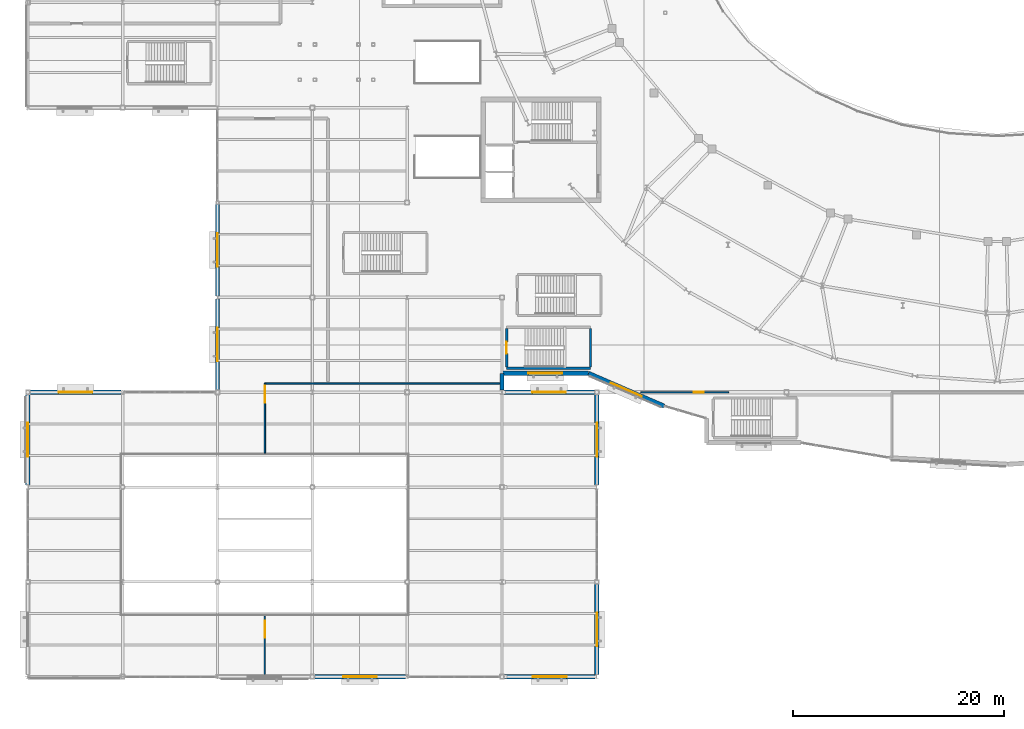
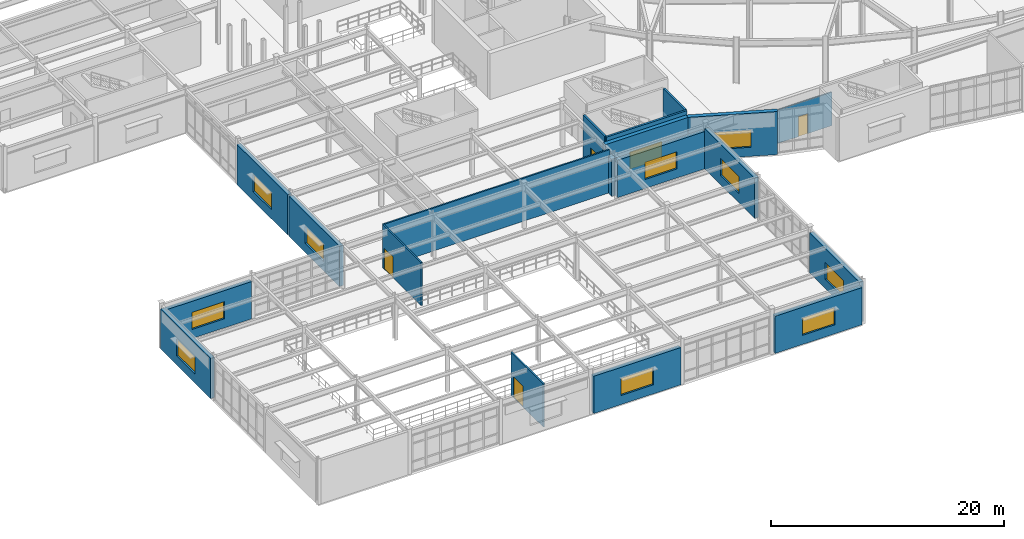
# One storey, part 59 of 86: 19 walls, 11 windows, 4 doors, 15 openings.
"""IFC4 building model written with IfcOpenShell, lengths in metres."""

from ifc_helpers import new_model, si_unit, direction, frame, frame_2d, origin, place, context, subcontext, project, spatial, rectangle, extrude, material, layer, layer_set, type_object, element, fill, save


model = new_model("IFC4")

# Units and contexts
model_context = context("Model", 3, precision=1e-05, world=origin(), true_north=direction((0.0, 1.0)))
body_context = subcontext(model_context, "Body", "Model", "MODEL_VIEW")
ifc_project = project(units=[si_unit("LENGTHUNIT", "METRE"), si_unit("AREAUNIT", "SQUARE_METRE"), si_unit("VOLUMEUNIT", "CUBIC_METRE"), si_unit("PLANEANGLEUNIT", "RADIAN"), si_unit("MASSUNIT", "GRAM", prefix="KILO")], contexts=[model_context])

# Site, building, storey
site_placement = place(None, origin())
site = spatial("IfcSite", under=ifc_project, at=site_placement, CompositionType="ELEMENT")
building_placement = place(site_placement, origin())
building = spatial("IfcBuilding", under=site, at=building_placement, Name="Glasvene Arena", CompositionType="ELEMENT")
storey_placement = place(building_placement, frame((0.0, 0.0, 5.39990234375)))
storey = spatial("IfcBuildingStorey", under=building, at=storey_placement, Name="L01", CompositionType="ELEMENT", Elevation=5.39990234375)

# Wall, opening, window
ifc_material_1 = material(Name="Coursed pale Irish limestone", Category="masonry")
ifc_layer_1 = layer(ifc_material_1, 0.39990234375)
ifc_layer_set_1 = layer_set([ifc_layer_1], Name="Coursed pale Irish limestone")
wall_type_1 = type_object("IfcWallType", Name="WL-EXT-LIM-400", PredefinedType="STANDARD", material=ifc_layer_set_1)
wall_1_placement = place(storey_placement, frame((60.380859375, 25.6923828125, 0.0), z_axis=(0.0, 0.0, 1.0), x_axis=(-0.917438889174, 0.397876720394, 0.0)))
wall_1 = element("IfcWall", 1, at=wall_1_placement, inside=storey, type_object=wall_type_1, Name="External facade wall EW-L01-0101", PredefinedType="STANDARD", context=body_context, shape_type="SweptSolid", body=[
    extrude(rectangle(XDim=7.810546875, YDim=0.39990234375, at=frame_2d((3.9052734375, 0.0))), origin(), (0.0, 0.0, 1.0), 4.52001953125),
])
opening_1_placement = place(wall_1_placement, frame((2.304931640625, 0.0, 0.949951171875)))
opening_1 = element("IfcOpeningElement", 2, at=opening_1_placement, cuts=wall_1, Name="Opening W-03", PredefinedType="OPENING", context=body_context, shape_type="SweptSolid", body=[
    extrude(rectangle(XDim=3.199951171875, YDim=1.800048828125, at=frame_2d((1.60009765625, 0.89990234375))), frame((0.0, 0.2099609375, 0.0), z_axis=(0.0, -1.0, 0.0), x_axis=(1.0, 0.0, 0.0)), (0.0, 0.0, 1.0), 0.419921875),
])
ifc_material_2 = material(Name="Low-emissivity laminated double glazing", Category="glass")
window_type = type_object("IfcWindowType", Name="WN-CONC-320x180", PartitioningType="TRIPLE_PANEL_VERTICAL", PredefinedType="WINDOW", material=ifc_material_2)
window_1_placement = place(opening_1_placement, origin())
window_1 = element("IfcWindow", 3, at=window_1_placement, inside=storey, type_object=window_type, Name="Facade window WN-CONC-320x180 L01-0048", OverallHeight=1.800048828125, OverallWidth=3.199951171875, PartitioningType="SINGLE_PANEL", PredefinedType="WINDOW", context=body_context, shape_type="SweptSolid", body=[
    extrude(rectangle(XDim=3.199951171875, YDim=1.800048828125, at=frame_2d((1.60009765625, 0.89990234375))), frame((0.0, 0.030029296875, 0.0), z_axis=(0.0, -1.0, 0.0), x_axis=(1.0, 0.0, 0.0)), (0.0, 0.0, 1.0), 0.06005859375),
])
fill(opening_1, window_1)

wall_2_placement = place(storey_placement, frame((53.215087890625, 28.800048828125, 0.0), z_axis=(0.0, 0.0, 1.0), x_axis=(-1.0, 0.0, 0.0)))
wall_2 = element("IfcWall", 4, at=wall_2_placement, inside=storey, type_object=wall_type_1, Name="External facade wall EW-L01-0102", PredefinedType="STANDARD", context=body_context, shape_type="SweptSolid", body=[
    extrude(rectangle(XDim=8.215087890625, YDim=0.39990234375, at=frame_2d((4.107421875, 0.0))), origin(), (0.0, 0.0, 1.0), 4.52001953125),
])
opening_2_placement = place(wall_2_placement, frame((2.508056640625, 0.0, 0.949951171875)))
opening_2 = element("IfcOpeningElement", 5, at=opening_2_placement, cuts=wall_2, Name="Opening W-03", PredefinedType="OPENING", context=body_context, shape_type="SweptSolid", body=[
    extrude(rectangle(XDim=3.199951171875, YDim=1.800048828125, at=frame_2d((1.60009765625, 0.89990234375))), frame((0.0, 0.2099609375, 0.0), z_axis=(0.0, -1.0, 0.0), x_axis=(1.0, 0.0, 0.0)), (0.0, 0.0, 1.0), 0.419921875),
])
window_2_placement = place(opening_2_placement, origin())
window_2 = element("IfcWindow", 6, at=window_2_placement, inside=storey, type_object=window_type, Name="Facade window WN-CONC-320x180 L01-0049", OverallHeight=1.800048828125, OverallWidth=3.199951171875, PartitioningType="SINGLE_PANEL", PredefinedType="WINDOW", context=body_context, shape_type="SweptSolid", body=[
    extrude(rectangle(XDim=3.199951171875, YDim=1.800048828125, at=frame_2d((1.60009765625, 0.89990234375))), frame((0.0, 0.030029296875, 0.0), z_axis=(0.0, -1.0, 0.0), x_axis=(1.0, 0.0, 0.0)), (0.0, 0.0, 1.0), 0.06005859375),
])
fill(opening_2, window_2)

# Wall
wall_3_placement = place(storey_placement, frame((45.0, 28.800048828125, 0.0), z_axis=(0.0, 0.0, 1.0), x_axis=(0.0, -1.0, 0.0)))
element("IfcWall", 7, at=wall_3_placement, inside=storey, type_object=wall_type_1, Name="External facade wall EW-L01-0103", PredefinedType="STANDARD", context=body_context, shape_type="SweptSolid", body=[
    extrude(rectangle(XDim=1.59814453125, YDim=0.39990234375, at=frame_2d((0.799072265625, 0.0))), origin(), (0.0, 0.0, 1.0), 3.907470703125),
])

# Wall, opening, window
wall_4_placement = place(storey_placement, frame((45.152099609375, 27.0, 0.0), z_axis=(0.0, 0.0, 1.0), x_axis=(1.0, 0.0, 0.0)))
wall_4 = element("IfcWall", 8, at=wall_4_placement, inside=storey, type_object=wall_type_1, Name="External facade wall EW-L01-0104", PredefinedType="STANDARD", context=body_context, shape_type="SweptSolid", body=[
    extrude(rectangle(XDim=8.642822265625, YDim=0.39990234375, at=frame_2d((4.3212890625, 0.0))), origin(), (0.0, 0.0, 1.0), 3.907470703125),
])
opening_3_placement = place(wall_4_placement, frame((2.720947265625, 0.0, 0.949951171875)))
opening_3 = element("IfcOpeningElement", 9, at=opening_3_placement, cuts=wall_4, Name="Opening W-03", PredefinedType="OPENING", context=body_context, shape_type="SweptSolid", body=[
    extrude(rectangle(XDim=3.199951171875, YDim=1.800048828125, at=frame_2d((1.60009765625, 0.89990234375))), frame((0.0, 0.2099609375, 0.0), z_axis=(0.0, -1.0, 0.0), x_axis=(1.0, 0.0, 0.0)), (0.0, 0.0, 1.0), 0.419921875),
])
window_3_placement = place(opening_3_placement, origin())
window_3 = element("IfcWindow", 10, at=window_3_placement, inside=storey, type_object=window_type, Name="Facade window WN-CONC-320x180 L01-0050", OverallHeight=1.800048828125, OverallWidth=3.199951171875, PartitioningType="SINGLE_PANEL", PredefinedType="WINDOW", context=body_context, shape_type="SweptSolid", body=[
    extrude(rectangle(XDim=3.199951171875, YDim=1.800048828125, at=frame_2d((1.60009765625, 0.89990234375))), frame((0.0, 0.030029296875, 0.0), z_axis=(0.0, -1.0, 0.0), x_axis=(1.0, 0.0, 0.0)), (0.0, 0.0, 1.0), 0.06005859375),
])
fill(opening_3, window_3)

wall_5_placement = place(storey_placement, frame((54.0, 26.794921875, 0.0), z_axis=(0.0, 0.0, 1.0), x_axis=(0.0, -1.0, 0.0)))
wall_5 = element("IfcWall", 11, at=wall_5_placement, inside=storey, type_object=wall_type_1, Name="External facade wall EW-L01-0105", PredefinedType="STANDARD", context=body_context, shape_type="SweptSolid", body=[
    extrude(rectangle(XDim=8.593017578125, YDim=0.39990234375, at=frame_2d((4.29638671875, 0.0))), origin(), (0.0, 0.0, 1.0), 4.215087890625),
])
opening_4_placement = place(wall_5_placement, frame((2.696044921875, 0.0, 0.949951171875)))
opening_4 = element("IfcOpeningElement", 12, at=opening_4_placement, cuts=wall_5, Name="Opening W-03", PredefinedType="OPENING", context=body_context, shape_type="SweptSolid", body=[
    extrude(rectangle(XDim=3.199951171875, YDim=1.800048828125, at=frame_2d((1.60009765625, 0.89990234375))), frame((0.0, 0.2099609375, 0.0), z_axis=(0.0, -1.0, 0.0), x_axis=(1.0, 0.0, 0.0)), (0.0, 0.0, 1.0), 0.419921875),
])
window_4_placement = place(opening_4_placement, origin())
window_4 = element("IfcWindow", 13, at=window_4_placement, inside=storey, type_object=window_type, Name="Facade window WN-CONC-320x180 L01-0051", OverallHeight=1.800048828125, OverallWidth=3.199951171875, PartitioningType="SINGLE_PANEL", PredefinedType="WINDOW", context=body_context, shape_type="SweptSolid", body=[
    extrude(rectangle(XDim=3.199951171875, YDim=1.800048828125, at=frame_2d((1.60009765625, 0.89990234375))), frame((0.0, 0.030029296875, 0.0), z_axis=(0.0, -1.0, 0.0), x_axis=(1.0, 0.0, 0.0)), (0.0, 0.0, 1.0), 0.06005859375),
])
fill(opening_4, window_4)

wall_6_placement = place(storey_placement, frame((54.0, 8.794921875, 0.0), z_axis=(0.0, 0.0, 1.0), x_axis=(0.0, -1.0, 0.0)))
wall_6 = element("IfcWall", 14, at=wall_6_placement, inside=storey, type_object=wall_type_1, Name="External facade wall EW-L01-0106", PredefinedType="STANDARD", context=body_context, shape_type="SweptSolid", body=[
    extrude(rectangle(XDim=8.593017578125, YDim=0.39990234375, at=frame_2d((4.29638671875, 0.0))), origin(), (0.0, 0.0, 1.0), 4.215087890625),
])
opening_5_placement = place(wall_6_placement, frame((2.696044921875, 0.0, 0.949951171875)))
opening_5 = element("IfcOpeningElement", 15, at=opening_5_placement, cuts=wall_6, Name="Opening W-03", PredefinedType="OPENING", context=body_context, shape_type="SweptSolid", body=[
    extrude(rectangle(XDim=3.199951171875, YDim=1.800048828125, at=frame_2d((1.60009765625, 0.89990234375))), frame((0.0, 0.2099609375, 0.0), z_axis=(0.0, -1.0, 0.0), x_axis=(1.0, 0.0, 0.0)), (0.0, 0.0, 1.0), 0.419921875),
])
window_5_placement = place(opening_5_placement, origin())
window_5 = element("IfcWindow", 16, at=window_5_placement, inside=storey, type_object=window_type, Name="Facade window WN-CONC-320x180 L01-0052", OverallHeight=1.800048828125, OverallWidth=3.199951171875, PartitioningType="SINGLE_PANEL", PredefinedType="WINDOW", context=body_context, shape_type="SweptSolid", body=[
    extrude(rectangle(XDim=3.199951171875, YDim=1.800048828125, at=frame_2d((1.60009765625, 0.89990234375))), frame((0.0, 0.030029296875, 0.0), z_axis=(0.0, -1.0, 0.0), x_axis=(1.0, 0.0, 0.0)), (0.0, 0.0, 1.0), 0.06005859375),
])
fill(opening_5, window_5)

wall_7_placement = place(storey_placement, frame((53.847900390625, 0.0, 0.0), z_axis=(0.0, 0.0, 1.0), x_axis=(-1.0, 0.0, 0.0)))
wall_7 = element("IfcWall", 17, at=wall_7_placement, inside=storey, type_object=wall_type_1, Name="External facade wall EW-L01-0107", PredefinedType="STANDARD", context=body_context, shape_type="SweptSolid", body=[
    extrude(rectangle(XDim=8.642822265625, YDim=0.39990234375, at=frame_2d((4.3212890625, 0.0))), origin(), (0.0, 0.0, 1.0), 3.907470703125),
])
opening_6_placement = place(wall_7_placement, frame((2.720947265625, 0.0, 0.949951171875)))
opening_6 = element("IfcOpeningElement", 18, at=opening_6_placement, cuts=wall_7, Name="Opening W-03", PredefinedType="OPENING", context=body_context, shape_type="SweptSolid", body=[
    extrude(rectangle(XDim=3.199951171875, YDim=1.800048828125, at=frame_2d((1.60009765625, 0.89990234375))), frame((0.0, 0.2099609375, 0.0), z_axis=(0.0, -1.0, 0.0), x_axis=(1.0, 0.0, 0.0)), (0.0, 0.0, 1.0), 0.419921875),
])
window_6_placement = place(opening_6_placement, origin())
window_6 = element("IfcWindow", 19, at=window_6_placement, inside=storey, type_object=window_type, Name="Facade window WN-CONC-320x180 L01-0053", OverallHeight=1.800048828125, OverallWidth=3.199951171875, PartitioningType="SINGLE_PANEL", PredefinedType="WINDOW", context=body_context, shape_type="SweptSolid", body=[
    extrude(rectangle(XDim=3.199951171875, YDim=1.800048828125, at=frame_2d((1.60009765625, 0.89990234375))), frame((0.0, 0.030029296875, 0.0), z_axis=(0.0, -1.0, 0.0), x_axis=(1.0, 0.0, 0.0)), (0.0, 0.0, 1.0), 0.06005859375),
])
fill(opening_6, window_6)

wall_8_placement = place(storey_placement, frame((35.847900390625, 0.0, 0.0), z_axis=(0.0, 0.0, 1.0), x_axis=(-1.0, 0.0, 0.0)))
wall_8 = element("IfcWall", 20, at=wall_8_placement, inside=storey, type_object=wall_type_1, Name="External facade wall EW-L01-0108", PredefinedType="STANDARD", context=body_context, shape_type="SweptSolid", body=[
    extrude(rectangle(XDim=8.642822265625, YDim=0.39990234375, at=frame_2d((4.3212890625, 0.0))), origin(), (0.0, 0.0, 1.0), 3.907470703125),
])
opening_7_placement = place(wall_8_placement, frame((2.720947265625, 0.0, 0.949951171875)))
opening_7 = element("IfcOpeningElement", 21, at=opening_7_placement, cuts=wall_8, Name="Opening W-03", PredefinedType="OPENING", context=body_context, shape_type="SweptSolid", body=[
    extrude(rectangle(XDim=3.199951171875, YDim=1.800048828125, at=frame_2d((1.60009765625, 0.89990234375))), frame((0.0, 0.2099609375, 0.0), z_axis=(0.0, -1.0, 0.0), x_axis=(1.0, 0.0, 0.0)), (0.0, 0.0, 1.0), 0.419921875),
])
window_7_placement = place(opening_7_placement, origin())
window_7 = element("IfcWindow", 22, at=window_7_placement, inside=storey, type_object=window_type, Name="Facade window WN-CONC-320x180 L01-0054", OverallHeight=1.800048828125, OverallWidth=3.199951171875, PartitioningType="SINGLE_PANEL", PredefinedType="WINDOW", context=body_context, shape_type="SweptSolid", body=[
    extrude(rectangle(XDim=3.199951171875, YDim=1.800048828125, at=frame_2d((1.60009765625, 0.89990234375))), frame((0.0, 0.030029296875, 0.0), z_axis=(0.0, -1.0, 0.0), x_axis=(1.0, 0.0, 0.0)), (0.0, 0.0, 1.0), 0.06005859375),
])
fill(opening_7, window_7)

wall_9_placement = place(storey_placement, frame((0.0, 18.201904296875, 0.0), z_axis=(0.0, 0.0, 1.0), x_axis=(0.0, 1.0, 0.0)))
wall_9 = element("IfcWall", 23, at=wall_9_placement, inside=storey, type_object=wall_type_1, Name="External facade wall EW-L01-0111", PredefinedType="STANDARD", context=body_context, shape_type="SweptSolid", body=[
    extrude(rectangle(XDim=8.593017578125, YDim=0.39990234375, at=frame_2d((4.29638671875, 0.0))), origin(), (0.0, 0.0, 1.0), 4.215087890625),
])
opening_8_placement = place(wall_9_placement, frame((2.696044921875, 0.0, 0.949951171875)))
opening_8 = element("IfcOpeningElement", 24, at=opening_8_placement, cuts=wall_9, Name="Opening W-03", PredefinedType="OPENING", context=body_context, shape_type="SweptSolid", body=[
    extrude(rectangle(XDim=3.199951171875, YDim=1.800048828125, at=frame_2d((1.60009765625, 0.89990234375))), frame((0.0, 0.2099609375, 0.0), z_axis=(0.0, -1.0, 0.0), x_axis=(1.0, 0.0, 0.0)), (0.0, 0.0, 1.0), 0.419921875),
])
window_8_placement = place(opening_8_placement, origin())
window_8 = element("IfcWindow", 25, at=window_8_placement, inside=storey, type_object=window_type, Name="Facade window WN-CONC-320x180 L01-0057", OverallHeight=1.800048828125, OverallWidth=3.199951171875, PartitioningType="SINGLE_PANEL", PredefinedType="WINDOW", context=body_context, shape_type="SweptSolid", body=[
    extrude(rectangle(XDim=3.199951171875, YDim=1.800048828125, at=frame_2d((1.60009765625, 0.89990234375))), frame((0.0, 0.030029296875, 0.0), z_axis=(0.0, -1.0, 0.0), x_axis=(1.0, 0.0, 0.0)), (0.0, 0.0, 1.0), 0.06005859375),
])
fill(opening_8, window_8)

wall_10_placement = place(storey_placement, frame((0.205078125, 27.0, 0.0), z_axis=(0.0, 0.0, 1.0), x_axis=(1.0, 0.0, 0.0)))
wall_10 = element("IfcWall", 26, at=wall_10_placement, inside=storey, type_object=wall_type_1, Name="External facade wall EW-L01-0112", PredefinedType="STANDARD", context=body_context, shape_type="SweptSolid", body=[
    extrude(rectangle(XDim=8.642822265625, YDim=0.39990234375, at=frame_2d((4.3212890625, 0.0))), origin(), (0.0, 0.0, 1.0), 3.907470703125),
])
opening_9_placement = place(wall_10_placement, frame((2.720947265625, 0.0, 0.949951171875)))
opening_9 = element("IfcOpeningElement", 27, at=opening_9_placement, cuts=wall_10, Name="Opening W-03", PredefinedType="OPENING", context=body_context, shape_type="SweptSolid", body=[
    extrude(rectangle(XDim=3.199951171875, YDim=1.800048828125, at=frame_2d((1.60009765625, 0.89990234375))), frame((0.0, 0.2099609375, 0.0), z_axis=(0.0, -1.0, 0.0), x_axis=(1.0, 0.0, 0.0)), (0.0, 0.0, 1.0), 0.419921875),
])
window_9_placement = place(opening_9_placement, origin())
window_9 = element("IfcWindow", 28, at=window_9_placement, inside=storey, type_object=window_type, Name="Facade window WN-CONC-320x180 L01-0058", OverallHeight=1.800048828125, OverallWidth=3.199951171875, PartitioningType="SINGLE_PANEL", PredefinedType="WINDOW", context=body_context, shape_type="SweptSolid", body=[
    extrude(rectangle(XDim=3.199951171875, YDim=1.800048828125, at=frame_2d((1.60009765625, 0.89990234375))), frame((0.0, 0.030029296875, 0.0), z_axis=(0.0, -1.0, 0.0), x_axis=(1.0, 0.0, 0.0)), (0.0, 0.0, 1.0), 0.06005859375),
])
fill(opening_9, window_9)

wall_11_placement = place(storey_placement, frame((18.0, 27.205078125, 0.0), z_axis=(0.0, 0.0, 1.0), x_axis=(0.0, 1.0, 0.0)))
wall_11 = element("IfcWall", 29, at=wall_11_placement, inside=storey, type_object=wall_type_1, Name="External facade wall EW-L01-0113", PredefinedType="STANDARD", context=body_context, shape_type="SweptSolid", body=[
    extrude(rectangle(XDim=8.662841796875, YDim=0.39990234375, at=frame_2d((4.33154296875, 0.0))), origin(), (0.0, 0.0, 1.0), 4.215087890625),
])
opening_10_placement = place(wall_11_placement, frame((2.73095703125, 0.0, 0.949951171875)))
opening_10 = element("IfcOpeningElement", 30, at=opening_10_placement, cuts=wall_11, Name="Opening W-03", PredefinedType="OPENING", context=body_context, shape_type="SweptSolid", body=[
    extrude(rectangle(XDim=3.199951171875, YDim=1.800048828125, at=frame_2d((1.60009765625, 0.89990234375))), frame((0.0, 0.2099609375, 0.0), z_axis=(0.0, -1.0, 0.0), x_axis=(1.0, 0.0, 0.0)), (0.0, 0.0, 1.0), 0.419921875),
])
window_10_placement = place(opening_10_placement, origin())
window_10 = element("IfcWindow", 31, at=window_10_placement, inside=storey, type_object=window_type, Name="Facade window WN-CONC-320x180 L01-0059", OverallHeight=1.800048828125, OverallWidth=3.199951171875, PartitioningType="SINGLE_PANEL", PredefinedType="WINDOW", context=body_context, shape_type="SweptSolid", body=[
    extrude(rectangle(XDim=3.199951171875, YDim=1.800048828125, at=frame_2d((1.60009765625, 0.89990234375))), frame((0.0, 0.030029296875, 0.0), z_axis=(0.0, -1.0, 0.0), x_axis=(1.0, 0.0, 0.0)), (0.0, 0.0, 1.0), 0.06005859375),
])
fill(opening_10, window_10)

wall_12_placement = place(storey_placement, frame((18.0, 36.132080078125, 0.0), z_axis=(0.0, 0.0, 1.0), x_axis=(0.0, 1.0, 0.0)))
wall_12 = element("IfcWall", 32, at=wall_12_placement, inside=storey, type_object=wall_type_1, Name="External facade wall EW-L01-0114", PredefinedType="STANDARD", context=body_context, shape_type="SweptSolid", body=[
    extrude(rectangle(XDim=8.7158203125, YDim=0.39990234375, at=frame_2d((4.35791015625, 0.0))), origin(), (0.0, 0.0, 1.0), 4.215087890625),
])
opening_11_placement = place(wall_12_placement, frame((2.758056640625, 0.0, 0.949951171875)))
opening_11 = element("IfcOpeningElement", 33, at=opening_11_placement, cuts=wall_12, Name="Opening W-03", PredefinedType="OPENING", context=body_context, shape_type="SweptSolid", body=[
    extrude(rectangle(XDim=3.199951171875, YDim=1.800048828125, at=frame_2d((1.60009765625, 0.89990234375))), frame((0.0, 0.2099609375, 0.0), z_axis=(0.0, -1.0, 0.0), x_axis=(1.0, 0.0, 0.0)), (0.0, 0.0, 1.0), 0.419921875),
])
window_11_placement = place(opening_11_placement, origin())
window_11 = element("IfcWindow", 34, at=window_11_placement, inside=storey, type_object=window_type, Name="Facade window WN-CONC-320x180 L01-0060", OverallHeight=1.800048828125, OverallWidth=3.199951171875, PartitioningType="SINGLE_PANEL", PredefinedType="WINDOW", context=body_context, shape_type="SweptSolid", body=[
    extrude(rectangle(XDim=3.199951171875, YDim=1.800048828125, at=frame_2d((1.60009765625, 0.89990234375))), frame((0.0, 0.030029296875, 0.0), z_axis=(0.0, -1.0, 0.0), x_axis=(1.0, 0.0, 0.0)), (0.0, 0.0, 1.0), 0.06005859375),
])
fill(opening_11, window_11)

# Wall, opening, door
ifc_material_3 = material(Name="Lightweight gypsum metal-stud partition")
ifc_layer_2 = layer(ifc_material_3, 0.1201171875)
ifc_layer_set_2 = layer_set([ifc_layer_2], Name="Lightweight gypsum metal-stud partition")
wall_type_2 = type_object("IfcWallType", Name="WL-PART-120", PredefinedType="PARTITIONING", material=ifc_layer_set_2)
wall_13_placement = place(storey_placement, frame((58.169921875, 27.0, 0.0), z_axis=(0.0, 0.0, 1.0), x_axis=(1.0, 0.0, 0.0)))
wall_13 = element("IfcWall", 35, at=wall_13_placement, inside=storey, type_object=wall_type_2, Name="Interior partition wall IW-L01-0147 (Concourse Concession Bar South)", PredefinedType="PARTITIONING", context=body_context, shape_type="SweptSolid", body=[
    extrude(rectangle(XDim=8.330078125, YDim=0.1201171875, at=frame_2d((4.1650390625, 0.0))), origin(), (0.0, 0.0, 1.0), 3.51513671875),
])
opening_12_placement = place(wall_13_placement, frame((5.00390625, 0.0, 0.0)))
opening_12 = element("IfcOpeningElement", 36, at=opening_12_placement, cuts=wall_13, Name="Opening D-07", PredefinedType="OPENING", context=body_context, shape_type="SweptSolid", body=[
    extrude(rectangle(XDim=0.949951171875, YDim=2.10009765625, at=frame_2d((0.47509765625, 1.050048828125))), frame((0.0, 0.070068359375, 0.0), z_axis=(0.0, -1.0, 0.0), x_axis=(1.0, 0.0, 0.0)), (0.0, 0.0, 1.0), 0.14013671875),
])
ifc_material_4 = material(Name="European oak fire-resisting timber", Category="wood")
door_type_1 = type_object("IfcDoorType", Name="DR-FD30-950", OperationType="NOTDEFINED", PredefinedType="DOOR", material=ifc_material_4)
door_1_placement = place(opening_12_placement, origin())
door_1 = element("IfcDoor", 37, at=door_1_placement, inside=storey, type_object=door_type_1, Name="Interior door DR-FD30-950 (Concourse Concession Bar South)", OperationType="SINGLE_SWING_LEFT", OverallHeight=2.10009765625, OverallWidth=0.949951171875, PredefinedType="DOOR", context=body_context, shape_type="SweptSolid", body=[
    extrude(rectangle(XDim=0.949951171875, YDim=2.10009765625, at=frame_2d((0.47509765625, 1.050048828125))), frame((0.0, 0.02490234375, 0.0), z_axis=(0.0, -1.0, 0.0), x_axis=(1.0, 0.0, 0.0)), (0.0, 0.0, 1.0), 0.050048828125),
])
fill(opening_12, door_1)

ifc_material_5 = material(Name="Insulated acoustic metal-stud partition")
ifc_layer_3 = layer(ifc_material_5, 0.14990234375)
ifc_layer_set_3 = layer_set([ifc_layer_3], Name="Insulated acoustic metal-stud partition")
wall_type_3 = type_object("IfcWallType", Name="WL-PART-150", PredefinedType="PARTITIONING", material=ifc_layer_set_3)
wall_14_placement = place(storey_placement, frame((22.501953125, 0.219970703125, 0.0), z_axis=(0.0, 0.0, 1.0), x_axis=(0.0, 1.0, 0.0)))
wall_14 = element("IfcWall", 38, at=wall_14_placement, inside=storey, type_object=wall_type_3, Name="Interior partition wall IW-L01-0144 (Prairie Foyer Mezzanine Gallery)", PredefinedType="PARTITIONING", context=body_context, shape_type="SweptSolid", body=[
    extrude(rectangle(XDim=5.56005859375, YDim=0.14990234375, at=frame_2d((2.780029296875, 0.0))), origin(), (0.0, 0.0, 1.0), 4.52001953125),
])
opening_13_placement = place(wall_14_placement, frame((3.5029296875, 0.0, 0.0)))
opening_13 = element("IfcOpeningElement", 39, at=opening_13_placement, cuts=wall_14, Name="Opening D-02", PredefinedType="OPENING", context=body_context, shape_type="SweptSolid", body=[
    extrude(rectangle(XDim=1.60009765625, YDim=2.199951171875, at=frame_2d((0.800048828125, 1.10009765625))), frame((0.0, 0.0849609375, 0.0), z_axis=(0.0, -1.0, 0.0), x_axis=(1.0, 0.0, 0.0)), (0.0, 0.0, 1.0), 0.169921875),
])
ifc_material_6 = material(Name="Painted fire-resisting steel", Category="steel")
door_type_2 = type_object("IfcDoorType", Name="DR-FD60-1600", OperationType="DOUBLE_DOOR_SINGLE_SWING", PredefinedType="DOOR", material=ifc_material_6)
door_2_placement = place(opening_13_placement, origin())
door_2 = element("IfcDoor", 40, at=door_2_placement, inside=storey, type_object=door_type_2, Name="Interior door DR-FD60-1600 (Prairie Foyer Mezzanine Gallery)", OperationType="DOUBLE_DOOR_SINGLE_SWING", OverallHeight=2.199951171875, OverallWidth=1.60009765625, PredefinedType="DOOR", context=body_context, shape_type="SweptSolid", body=[
    extrude(rectangle(XDim=1.60009765625, YDim=2.199951171875, at=frame_2d((0.800048828125, 1.10009765625))), frame((0.0, 0.02490234375, 0.0), z_axis=(0.0, -1.0, 0.0), x_axis=(1.0, 0.0, 0.0)), (0.0, 0.0, 1.0), 0.050048828125),
])
fill(opening_13, door_2)

wall_15_placement = place(storey_placement, frame((22.501953125, 21.219970703125, 0.0), z_axis=(0.0, 0.0, 1.0), x_axis=(0.0, 1.0, 0.0)))
wall_15 = element("IfcWall", 41, at=wall_15_placement, inside=storey, type_object=wall_type_3, Name="Interior partition wall IW-L01-0145 (Prairie Foyer Mezzanine Gallery)", PredefinedType="PARTITIONING", context=body_context, shape_type="SweptSolid", body=[
    extrude(rectangle(XDim=6.630126953125, YDim=0.14990234375, at=frame_2d((3.31494140625, 0.0))), origin(), (0.0, 0.0, 1.0), 4.52001953125),
])
opening_14_placement = place(wall_15_placement, frame((4.780029296875, 0.0, 0.0)))
opening_14 = element("IfcOpeningElement", 42, at=opening_14_placement, cuts=wall_15, Name="Opening D-02", PredefinedType="OPENING", context=body_context, shape_type="SweptSolid", body=[
    extrude(rectangle(XDim=1.60009765625, YDim=2.199951171875, at=frame_2d((0.800048828125, 1.10009765625))), frame((0.0, 0.0849609375, 0.0), z_axis=(0.0, -1.0, 0.0), x_axis=(1.0, 0.0, 0.0)), (0.0, 0.0, 1.0), 0.169921875),
])
door_3_placement = place(opening_14_placement, origin())
door_3 = element("IfcDoor", 43, at=door_3_placement, inside=storey, type_object=door_type_2, Name="Interior door DR-FD60-1600 (Prairie Foyer Mezzanine Gallery)", OperationType="DOUBLE_DOOR_SINGLE_SWING", OverallHeight=2.199951171875, OverallWidth=1.60009765625, PredefinedType="DOOR", context=body_context, shape_type="SweptSolid", body=[
    extrude(rectangle(XDim=1.60009765625, YDim=2.199951171875, at=frame_2d((0.800048828125, 1.10009765625))), frame((0.0, 0.02490234375, 0.0), z_axis=(0.0, -1.0, 0.0), x_axis=(1.0, 0.0, 0.0)), (0.0, 0.0, 1.0), 0.050048828125),
])
fill(opening_14, door_3)

# Walls
wall_16_placement = place(storey_placement, frame((22.501953125, 27.85009765625, 0.0), z_axis=(0.0, 0.0, 1.0), x_axis=(1.0, 0.0, 0.0)))
element("IfcWall", 44, at=wall_16_placement, inside=storey, type_object=wall_type_3, Name="Interior partition wall IW-L01-0146 (Prairie Foyer Mezzanine Gallery)", PredefinedType="PARTITIONING", context=body_context, shape_type="SweptSolid", body=[
    extrude(rectangle(XDim=22.4580078125, YDim=0.14990234375, at=frame_2d((11.22900390625, 0.0))), origin(), (0.0, 0.0, 1.0), 4.52001953125),
])
ifc_material_7 = material(Name="Concrete C40/50", Category="concrete")
ifc_layer_4 = layer(ifc_material_7, 0.199951171875)
ifc_layer_set_4 = layer_set([ifc_layer_4], Name="Concrete C40/50")
wall_type_4 = type_object("IfcWallType", Name="WL-SHAFT-200", PredefinedType="SHEAR", material=ifc_layer_set_4)
wall_17_placement = place(storey_placement, frame((45.449951171875, 29.280029296875, 0.0), z_axis=(0.0, 0.0, 1.0), x_axis=(1.0, 0.0, 0.0)))
element("IfcWall", 45, at=wall_17_placement, inside=storey, type_object=wall_type_4, Name="Escape stair shaft wall ST-16 L01 S", PredefinedType="SHEAR", context=body_context, shape_type="SweptSolid", body=[
    extrude(rectangle(XDim=7.949951171875, YDim=0.199951171875, at=frame_2d((3.97509765625, 0.0))), origin(), (0.0, 0.0, 1.0), 4.800048828125),
])

# Wall, opening, door
wall_18_placement = place(storey_placement, frame((45.449951171875, 29.382080078125, 0.0), z_axis=(0.0, 0.0, 1.0), x_axis=(0.0, 1.0, 0.0)))
wall_18 = element("IfcWall", 46, at=wall_18_placement, inside=storey, type_object=wall_type_4, Name="Escape stair shaft wall ST-16 L01 W", PredefinedType="SHEAR", context=body_context, shape_type="SweptSolid", body=[
    extrude(rectangle(XDim=3.68603515625, YDim=0.199951171875, at=frame_2d((1.843017578125, 0.0))), origin(), (0.0, 0.0, 1.0), 4.800048828125),
])
opening_15_placement = place(wall_18_placement, frame((1.29296875, 0.0, 0.0)))
opening_15 = element("IfcOpeningElement", 47, at=opening_15_placement, cuts=wall_18, Name="Opening D-04", PredefinedType="OPENING", context=body_context, shape_type="SweptSolid", body=[
    extrude(rectangle(XDim=1.10009765625, YDim=2.14990234375, at=frame_2d((0.550048828125, 1.074951171875))), frame((0.0, 0.10986328125, 0.0), z_axis=(0.0, -1.0, 0.0), x_axis=(1.0, 0.0, 0.0)), (0.0, 0.0, 1.0), 0.219970703125),
])
door_type_3 = type_object("IfcDoorType", Name="DR-FD60-1100", OperationType="NOTDEFINED", PredefinedType="DOOR", material=ifc_material_6)
door_4_placement = place(opening_15_placement, frame((1.10009765625, 0.0, 0.0), z_axis=(0.0, 0.0, 1.0), x_axis=(-1.0, 0.0, 0.0)))
door_4 = element("IfcDoor", 48, at=door_4_placement, inside=storey, type_object=door_type_3, Name="Protected escape stair door ST-16 L01", OperationType="SINGLE_SWING_LEFT", OverallHeight=2.14990234375, OverallWidth=1.10009765625, PredefinedType="DOOR", context=body_context, shape_type="SweptSolid", body=[
    extrude(rectangle(XDim=1.10009765625, YDim=2.14990234375, at=frame_2d((0.550048828125, 1.074951171875))), frame((0.0, 0.02490234375, 0.0), z_axis=(0.0, -1.0, 0.0), x_axis=(1.0, 0.0, 0.0)), (0.0, 0.0, 1.0), 0.050048828125),
])
fill(opening_15, door_4)

# Wall
wall_19_placement = place(storey_placement, frame((53.39990234375, 29.382080078125, 0.0), z_axis=(0.0, 0.0, 1.0), x_axis=(0.0, 1.0, 0.0)))
element("IfcWall", 49, at=wall_19_placement, inside=storey, type_object=wall_type_4, Name="Escape stair shaft wall ST-16 L01 E", PredefinedType="SHEAR", context=body_context, shape_type="SweptSolid", body=[
    extrude(rectangle(XDim=3.68603515625, YDim=0.199951171875, at=frame_2d((1.843017578125, 0.0))), origin(), (0.0, 0.0, 1.0), 4.800048828125),
])

save(model, "model.ifc")
